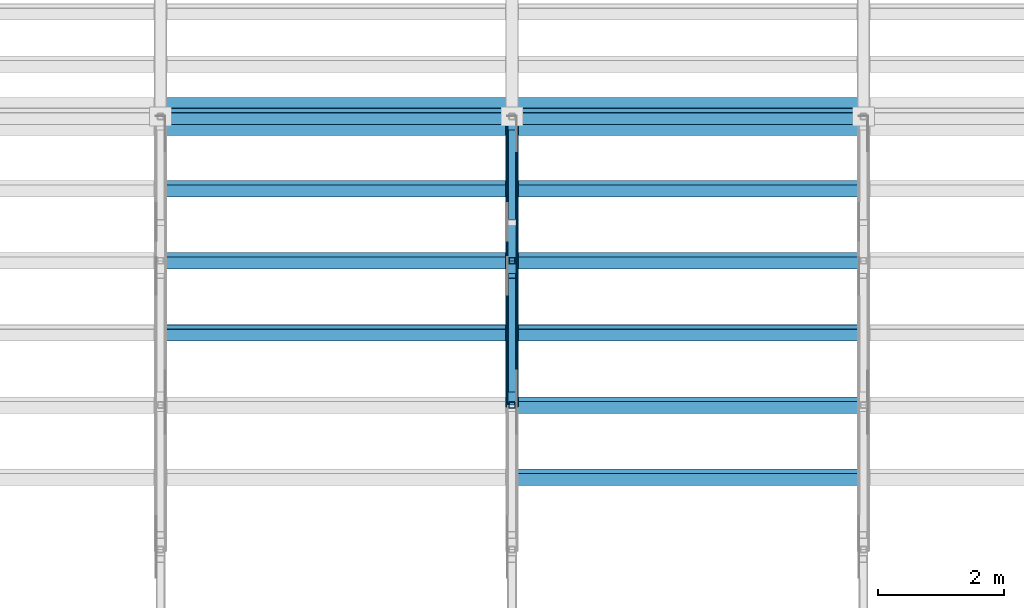
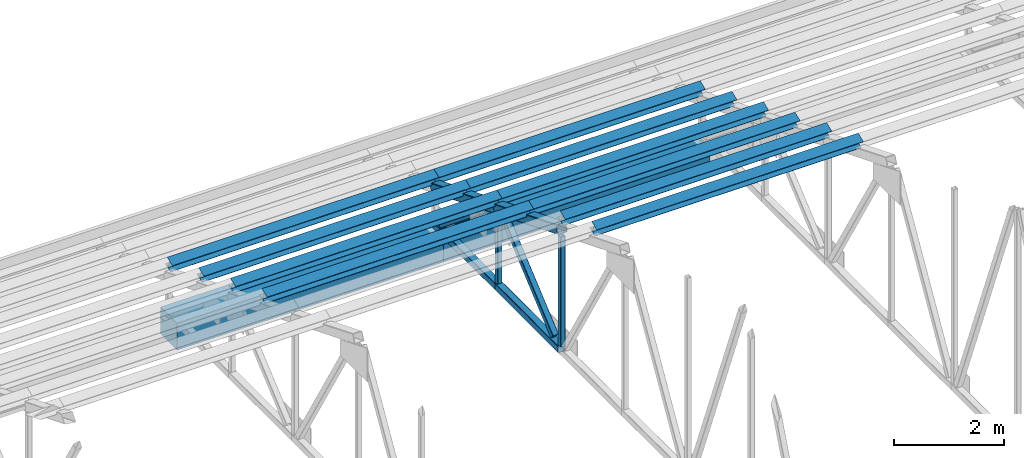
# One storey, part 14 of 71: 18 members, 2 beams.
"""IFC4 building model written with IfcOpenShell, lengths in metres."""

from ifc_helpers import new_model, si_unit, direction, frame, origin, origin_2d, place, context, subcontext, project, spatial, rectangle, hollow_rectangle, i_section, extrude, material, material_profile, profile_set, type_object, element, save


model = new_model("IFC4")

# Units and contexts
model_context = context("Model", 3, precision=1e-05, world=origin(), true_north=direction((0.0, 1.0)))
body_context = subcontext(model_context, "Body", "Model", "MODEL_VIEW")
ifc_project = project(units=[si_unit("LENGTHUNIT", "METRE"), si_unit("AREAUNIT", "SQUARE_METRE"), si_unit("VOLUMEUNIT", "CUBIC_METRE"), si_unit("PLANEANGLEUNIT", "RADIAN"), si_unit("MASSUNIT", "GRAM", prefix="KILO")], contexts=[model_context])

# Site, building, storey
site_placement = place(None, origin())
site = spatial("IfcSite", under=ifc_project, at=site_placement, CompositionType="ELEMENT")
building_placement = place(site_placement, origin())
building = spatial("IfcBuilding", under=site, at=building_placement, Name="Wasatch Bagh Community Centre", CompositionType="ELEMENT")
storey_placement = place(building_placement, frame((0.0, 0.0, 12.60009765625)))
storey = spatial("IfcBuildingStorey", under=building, at=storey_placement, Name="L03", CompositionType="ELEMENT", Elevation=12.60009765625)

# Members
ifc_material_1 = material(Name="ASTM A500 Grade C steel", Category="steel")
ifc_material_profile_1 = material_profile(ifc_material_1, hollow_rectangle(XDim=0.1015625, YDim=0.1015625, WallThickness=0.005859375, InnerFilletRadius=0.005859375, OuterFilletRadius=0.01171875, at=origin_2d()), Name="HSS4x4x1/4")
ifc_profile_set_1 = profile_set([ifc_material_profile_1], Name="ASTM A500 Grade C steel")
member_type_1 = type_object("IfcMemberType", Name="SH HSS4x4x1/4 post", PredefinedType="POST", material=ifc_profile_set_1)
member_1_placement = place(storey_placement, frame((129.0, 61.199951171875, 0.76220703125), z_axis=(0.0, 0.0, 1.0), x_axis=(1.0, 0.0, 0.0)))
element("IfcMember", 1, at=member_1_placement, inside=storey, type_object=member_type_1, Name="SH.SA4.PS11", PredefinedType="POST", context=body_context, shape_type="SweptSolid", body=[
    extrude(hollow_rectangle(XDim=0.1015625, YDim=0.1015625, WallThickness=0.005859375, InnerFilletRadius=0.005859375, OuterFilletRadius=0.01171875, at=origin_2d()), origin(), (0.0, 0.0, 1.0), 2.44189453125),
])
member_2_placement = place(storey_placement, frame((129.0, 63.5, 0.76220703125), z_axis=(0.0, 0.0, 1.0), x_axis=(1.0, 0.0, 0.0)))
element("IfcMember", 2, at=member_2_placement, inside=storey, type_object=member_type_1, Name="SH.SA4.PS12", PredefinedType="POST", context=body_context, shape_type="SweptSolid", body=[
    extrude(hollow_rectangle(XDim=0.1015625, YDim=0.1015625, WallThickness=0.005859375, InnerFilletRadius=0.005859375, OuterFilletRadius=0.01171875, at=origin_2d()), origin(), (0.0, 0.0, 1.0), 1.504638671875),
])
ifc_material_profile_2 = material_profile(ifc_material_1, hollow_rectangle(XDim=0.126953125, YDim=0.126953125, WallThickness=0.00732421875, InnerFilletRadius=0.00732421875, OuterFilletRadius=0.0146484375, at=origin_2d()), Name="HSS5x5x5/16")
ifc_profile_set_2 = profile_set([ifc_material_profile_2], Name="ASTM A500 Grade C steel")
member_type_2 = type_object("IfcMemberType", Name="SH HSS5x5x5/16 brace", PredefinedType="BRACE", material=ifc_profile_set_2)
member_3_placement = place(storey_placement, frame((129.0, 61.4501953125, 0.81103515625), z_axis=(0.0, 0.760719100191, 0.649081235751), x_axis=(-1.0, 0.0, 0.0)))
element("IfcMember", 3, at=member_3_placement, inside=storey, type_object=member_type_2, Name="SH.SA4.WB11", PredefinedType="BRACE", context=body_context, shape_type="SweptSolid", body=[
    extrude(hollow_rectangle(XDim=0.126953125, YDim=0.126953125, WallThickness=0.00732421875, InnerFilletRadius=0.00732421875, OuterFilletRadius=0.0146484375, at=origin_2d()), origin(), (0.0, 0.0, 1.0), 2.377197265625),
])
member_4_placement = place(storey_placement, frame((129.0, 65.541259765625, 0.81201171875), z_axis=(0.0, -0.775829568588, 0.630942533441), x_axis=(1.0, 0.0, 0.0)))
element("IfcMember", 4, at=member_4_placement, inside=storey, type_object=member_type_2, Name="SH.SA4.WB12", PredefinedType="BRACE", context=body_context, shape_type="SweptSolid", body=[
    extrude(hollow_rectangle(XDim=0.126953125, YDim=0.126953125, WallThickness=0.00732421875, InnerFilletRadius=0.00732421875, OuterFilletRadius=0.0146484375, at=origin_2d()), origin(), (0.0, 0.0, 1.0), 1.83837890625),
])
ifc_material_profile_3 = material_profile(ifc_material_1, hollow_rectangle(XDim=0.15234375, YDim=0.15234375, WallThickness=0.0087890625, InnerFilletRadius=0.0087890625, OuterFilletRadius=0.017822265625, at=origin_2d()), Name="HSS6x6x3/8")
ifc_profile_set_3 = profile_set([ifc_material_profile_3], Name="ASTM A500 Grade C steel")
member_type_3 = type_object("IfcMemberType", Name="SH HSS6x6x3/8 chord", PredefinedType="CHORD", material=ifc_profile_set_3)
for number, where, z_axis, x_axis, name in (
    (5, (129.0, 61.199951171875, 0.68603515625), (0.0, 1.0, 0.0), (-1.0, 0.0, 0.0), "SH.SA4.BC11"),
    (6, (129.0, 63.5, 0.68603515625), (0.0, 1.0, 0.0), (-1.0, 0.0, 0.0), "SH.SA4.BC12"),
):
    element("IfcMember", number, at=place(storey_placement, frame(where, z_axis=z_axis, x_axis=x_axis)), inside=storey, type_object=member_type_3, Name=name, PredefinedType="CHORD", context=body_context, shape_type="SweptSolid", body=[
        extrude(hollow_rectangle(XDim=0.15234375, YDim=0.15234375, WallThickness=0.0087890625, InnerFilletRadius=0.0087890625, OuterFilletRadius=0.017822265625, at=origin_2d()), origin(), (0.0, 0.0, 1.0), 2.300048828125),
    ])
ifc_material_profile_4 = material_profile(ifc_material_1, hollow_rectangle(XDim=0.203125, YDim=0.203125, WallThickness=0.01171875, InnerFilletRadius=0.01171875, OuterFilletRadius=0.023681640625, at=origin_2d()), Name="HSS8x8x1/2")
ifc_profile_set_4 = profile_set([ifc_material_profile_4], Name="ASTM A500 Grade C steel")
member_type_4 = type_object("IfcMemberType", Name="SH HSS8x8x1/2 chord", PredefinedType="CHORD", material=ifc_profile_set_4)
for number, where, z_axis, x_axis, name in (
    (7, (129.0, 61.200439453125, 3.358642578125), (0.0, 0.927174106992, -0.374630718605), (-1.0, 0.0, 0.0), "SH.SA4.TC12"),
    (8, (129.0, 63.50048828125, 2.429443359375), (0.0, 0.927174106992, -0.374630718605), (-1.0, 0.0, 0.0), "SH.SA4.TC13"),
):
    element("IfcMember", number, at=place(storey_placement, frame(where, z_axis=z_axis, x_axis=x_axis)), inside=storey, type_object=member_type_4, Name=name, PredefinedType="CHORD", context=body_context, shape_type="SweptSolid", body=[
        extrude(hollow_rectangle(XDim=0.203125, YDim=0.203125, WallThickness=0.01171875, InnerFilletRadius=0.01171875, OuterFilletRadius=0.023681640625, at=origin_2d()), origin(), (0.0, 0.0, 1.0), 2.479736328125),
    ])

# Beams
ifc_material_2 = material(Name="Concrete C40", Category="concrete")
ifc_material_profile_5 = material_profile(ifc_material_2, rectangle(XDim=0.60009765625, YDim=0.60009765625, at=origin_2d()), Name="RC 600x600")
ifc_profile_set_5 = profile_set([ifc_material_profile_5], Name="Concrete C40")
beam_type = type_object("IfcBeamType", Name="SH RC 600x600 beam", PredefinedType="BEAM", material=ifc_profile_set_5)
for number, where, z_axis, x_axis, name in (
    (9, (123.39990234375, 65.800048828125, 0.2998046875), (1.0, 0.0, 0.0), (0.0, 1.0, 0.0), "SH.beam.L03.ring09"),
    (10, (129.0, 65.800048828125, 0.2998046875), (1.0, 0.0, 0.0), (0.0, 1.0, 0.0), "SH.beam.L03.ring10"),
):
    element("IfcBeam", number, at=place(storey_placement, frame(where, z_axis=z_axis, x_axis=x_axis)), inside=storey, type_object=beam_type, Name=name, PredefinedType="BEAM", context=body_context, shape_type="SweptSolid", body=[
        extrude(rectangle(XDim=0.60009765625, YDim=0.60009765625, at=origin_2d()), origin(), (0.0, 0.0, 1.0), 5.60009765625),
    ])

# Members
ifc_material_3 = material(Name="ASTM A992 Grade 50 steel", Category="steel")
ifc_material_profile_6 = material_profile(ifc_material_3, i_section(OverallWidth=0.203125, OverallDepth=0.203125, WebThickness=0.00732421875, FlangeThickness=0.010986328125, at=origin_2d()), Name="W8x31")
ifc_profile_set_6 = profile_set([ifc_material_profile_6], Name="ASTM A992 Grade 50 steel")
member_type_5 = type_object("IfcMemberType", Name="SH W8x31 purlin", PredefinedType="PURLIN", material=ifc_profile_set_6)
for number, where, z_axis, x_axis, name in (
    (11, (123.39990234375, 62.35009765625, 3.11328125), (1.0, 0.0, 0.0), (0.0, 0.927183854567, 0.374606593416), "SH.PUR.b3.PU25"),
    (12, (123.39990234375, 63.5, 2.648681640625), (1.0, 0.0, 0.0), (0.0, 0.927183854567, 0.374606593416), "SH.PUR.b3.PU26"),
    (13, (123.39990234375, 64.64990234375, 2.18408203125), (1.0, 0.0, 0.0), (0.0, 0.927183854567, 0.374606593416), "SH.PUR.b3.PU27"),
    (14, (123.39990234375, 65.800048828125, 1.719482421875), (1.0, 0.0, 0.0), (0.0, 0.927183854567, 0.374606593416), "SH.PUR.b3.PU28"),
    (15, (129.0, 60.050048828125, 4.042724609375), (1.0, 0.0, 0.0), (0.0, 0.927183854567, 0.374606593416), "SH.PUR.b4.PU23"),
    (16, (129.0, 61.199951171875, 3.577880859375), (1.0, 0.0, 0.0), (0.0, 0.927183854567, 0.374606593416), "SH.PUR.b4.PU24"),
    (17, (129.0, 62.35009765625, 3.11328125), (1.0, 0.0, 0.0), (0.0, 0.927183854567, 0.374606593416), "SH.PUR.b4.PU25"),
    (18, (129.0, 63.5, 2.648681640625), (1.0, 0.0, 0.0), (0.0, 0.927183854567, 0.374606593416), "SH.PUR.b4.PU26"),
    (19, (129.0, 64.64990234375, 2.18408203125), (1.0, 0.0, 0.0), (0.0, 0.927183854567, 0.374606593416), "SH.PUR.b4.PU27"),
    (20, (129.0, 65.800048828125, 1.719482421875), (1.0, 0.0, 0.0), (0.0, 0.927183854567, 0.374606593416), "SH.PUR.b4.PU28"),
):
    element("IfcMember", number, at=place(storey_placement, frame(where, z_axis=z_axis, x_axis=x_axis)), inside=storey, type_object=member_type_5, Name=name, PredefinedType="PURLIN", context=body_context, shape_type="SweptSolid", body=[
        extrude(i_section(OverallWidth=0.203125, OverallDepth=0.203125, WebThickness=0.00732421875, FlangeThickness=0.010986328125, at=origin_2d()), origin(), (0.0, 0.0, 1.0), 5.60009765625),
    ])

save(model, "model.ifc")
